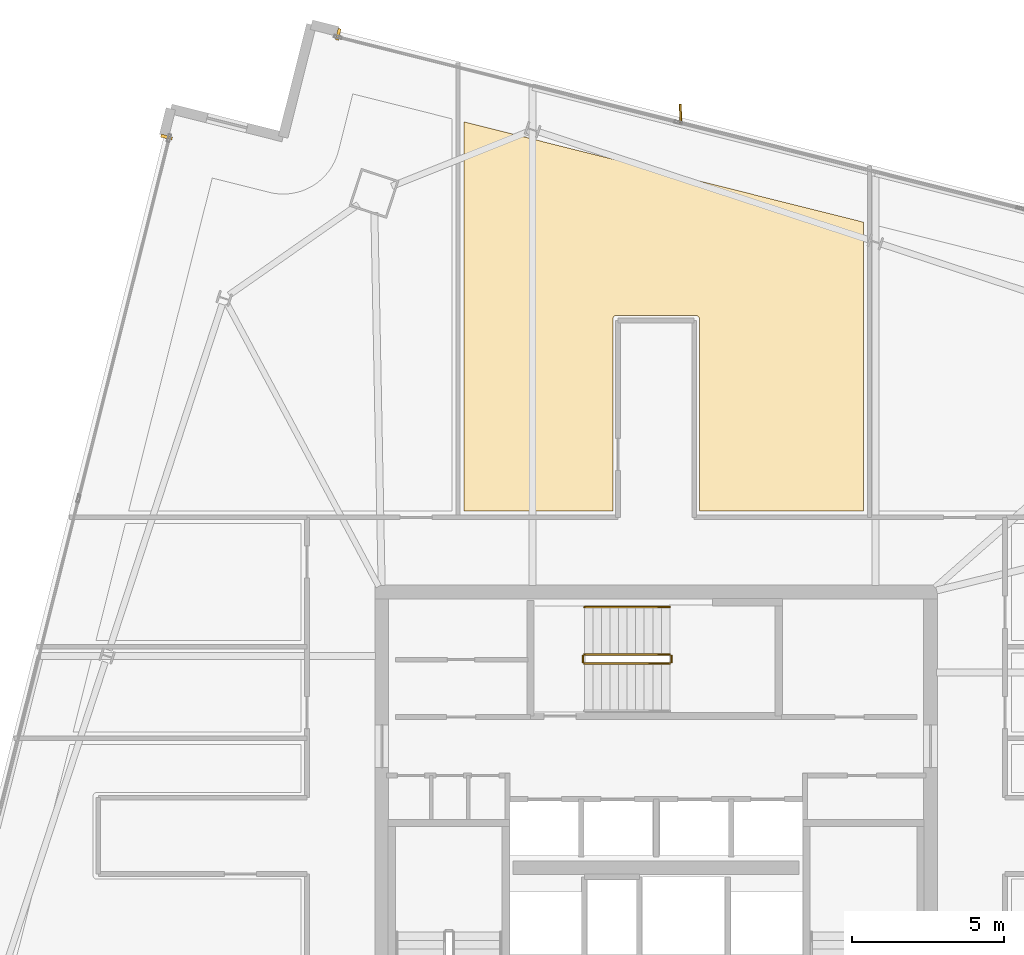
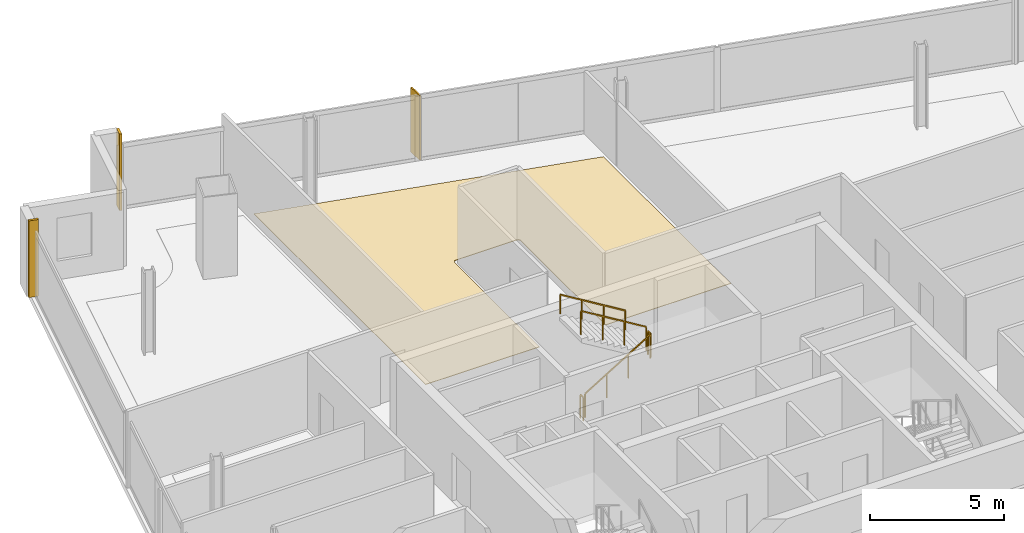
# One storey, part 27 of 28: 5 railings, 3 coverings, 1 shading device.
"""IFC4 building model written with IfcOpenShell, lengths in metres."""

from ifc_helpers import new_model, si_unit, direction, frame, origin, origin_2d, place, context, subcontext, project, spatial, polyline, rectangle, outline, extrude, source, transform, mapped, material, layer, layer_set, type_object, element, save


model = new_model("IFC4")

# Units and contexts
model_context = context("Model", 3, precision=1e-05, world=origin(), true_north=direction((0.0, 1.0)))
body_context = subcontext(model_context, "Body", "Model", "MODEL_VIEW")
ifc_project = project(units=[si_unit("LENGTHUNIT", "METRE"), si_unit("AREAUNIT", "SQUARE_METRE"), si_unit("VOLUMEUNIT", "CUBIC_METRE"), si_unit("PLANEANGLEUNIT", "RADIAN"), si_unit("MASSUNIT", "GRAM", prefix="KILO")], contexts=[model_context])

# Site, building, storey
site_placement = place(None, origin())
site = spatial("IfcSite", under=ifc_project, at=site_placement, CompositionType="ELEMENT")
building_placement = place(site_placement, origin())
building = spatial("IfcBuilding", under=site, at=building_placement, Name="Haldenkirk Collegiate Tower", CompositionType="ELEMENT")
storey_placement = place(building_placement, frame((0.0, 0.0, 282.449951171875)))
storey = spatial("IfcBuildingStorey", under=building, at=storey_placement, Name="L71", CompositionType="ELEMENT", Elevation=282.449951171875)

# Covering
ifc_material_1 = material(Name="Engineered collegiate oak acoustic flooring", Category="wood")
ifc_layer_1 = layer(ifc_material_1, 0.02197265625)
ifc_layer_set_1 = layer_set([ifc_layer_1], Name="Engineered collegiate oak acoustic flooring")
covering_type_1 = type_object("IfcCoveringType", Name="COV-FLOOR-TIMBER", PredefinedType="FLOORING", material=ifc_layer_set_1)
covering_placement = place(storey_placement, origin())
element("IfcCovering", 1, at=covering_placement, inside=storey, type_object=covering_type_1, Name="L71 academic room finish 03", PredefinedType="FLOORING", context=body_context, shape_type="SweptSolid", body=[
    extrude(outline(polyline([(42.800048828125, 46.1298828125), (42.800048828125, 36.64990234375), (37.419921875, 36.64990234375), (37.419921875, 42.949951171875), (37.41943359375, 42.9619140625), (37.417724609375, 42.973388671875), (37.414794921875, 42.98486328125), (37.410888671875, 42.995849609375), (37.40576171875, 43.006591796875), (37.39990234375, 43.0166015625), (37.392822265625, 43.026123046875), (37.385009765625, 43.034912109375), (37.376220703125, 43.042724609375), (37.36669921875, 43.0498046875), (37.356689453125, 43.055908203125), (37.345947265625, 43.060791015625), (37.334716796875, 43.064697265625), (37.323486328125, 43.067626953125), (37.311767578125, 43.0693359375), (37.300048828125, 43.070068359375), (34.699951171875, 43.070068359375), (34.688232421875, 43.0693359375), (34.676513671875, 43.067626953125), (34.665283203125, 43.064697265625), (34.654052734375, 43.060791015625), (34.643310546875, 43.055908203125), (34.63330078125, 43.0498046875), (34.623779296875, 43.042724609375), (34.614990234375, 43.034912109375), (34.607177734375, 43.026123046875), (34.60009765625, 43.0166015625), (34.59423828125, 43.006591796875), (34.589111328125, 42.995849609375), (34.585205078125, 42.98486328125), (34.582275390625, 42.973388671875), (34.58056640625, 42.9619140625), (34.580078125, 42.949951171875), (34.580078125, 36.64990234375), (29.699951171875, 36.64990234375), (29.699951171875, 49.42041015625), (42.800048828125, 46.1298828125)])), origin(), (0.0, 0.0, 1.0), 0.02197265625),
])

# Railings
ifc_material_2 = material(Name="Painted architectural tubular steel", Category="steel")
railing_type_1 = type_object("IfcRailingType", Name="RLG-STAIR-GUARD-1100", PredefinedType="BALUSTRADE", material=ifc_material_2)
railing_1_placement = place(storey_placement, frame((33.64990234375, 31.64990234375, 0.17041015625)))
element("IfcRailing", 2, at=railing_1_placement, inside=storey, type_object=railing_type_1, Name="L71 ST-3 stair guard 1", PredefinedType="BALUSTRADE", context=body_context, shape_type="SweptSolid", body=[
    extrude(rectangle(XDim=0.048095703125, YDim=0.048095703125, at=origin_2d()), frame((0.0, 0.0, 1.076171875), z_axis=(0.854169791009, 0.0, 0.51999420009), x_axis=(0.0, 1.0, 0.0)), (0.0, 0.0, 1.0), 3.278076171875),
    extrude(rectangle(XDim=0.0419921875, YDim=0.0419921875, at=origin_2d()), origin(), (0.0, 0.0, 1.0), 1.052001953125),
    extrude(rectangle(XDim=0.0419921875, YDim=0.0419921875, at=origin_2d()), frame((0.933349609375, 0.0, 0.568115234375)), (0.0, 0.0, 1.0), 1.052001953125),
    extrude(rectangle(XDim=0.0419921875, YDim=0.0419921875, at=origin_2d()), frame((1.86669921875, 0.0, 1.136474609375)), (0.0, 0.0, 1.0), 1.052001953125),
    extrude(rectangle(XDim=0.0419921875, YDim=0.0419921875, at=origin_2d()), frame((2.800048828125, 0.0, 1.70458984375)), (0.0, 0.0, 1.0), 1.052001953125),
])
railing_2_placement = place(storey_placement, frame((36.5, 31.699951171875, 1.875)))
element("IfcRailing", 3, at=railing_2_placement, inside=storey, type_object=railing_type_1, Name="L71 ST-3 stair guard 2", PredefinedType="BALUSTRADE", context=body_context, shape_type="SweptSolid", body=[
    extrude(rectangle(XDim=0.048095703125, YDim=0.048095703125, at=origin_2d()), frame((0.0, 0.0, 1.076171875), z_axis=(0.0, 1.0, 0.0), x_axis=(-1.0, 0.0, 0.0)), (0.0, 0.0, 1.0), 0.199951171875),
    extrude(rectangle(XDim=0.0419921875, YDim=0.0419921875, at=origin_2d()), origin(), (0.0, 0.0, 1.0), 1.052001953125),
    extrude(rectangle(XDim=0.0419921875, YDim=0.0419921875, at=origin_2d()), frame((0.0, 0.199951171875, 0.0)), (0.0, 0.0, 1.0), 1.052001953125),
])
railing_3_placement = place(storey_placement, frame((36.449951171875, 31.949951171875, 2.04541015625)))
element("IfcRailing", 4, at=railing_3_placement, inside=storey, type_object=railing_type_1, Name="L71 ST-3 stair guard 3", PredefinedType="BALUSTRADE", context=body_context, shape_type="SweptSolid", body=[
    extrude(rectangle(XDim=0.048095703125, YDim=0.048095703125, at=origin_2d()), frame((0.0, 0.0, 1.076171875), z_axis=(-0.854169791009, 0.0, 0.51999420009), x_axis=(0.0, -1.0, 0.0)), (0.0, 0.0, 1.0), 3.278076171875),
    extrude(rectangle(XDim=0.0419921875, YDim=0.0419921875, at=origin_2d()), origin(), (0.0, 0.0, 1.0), 1.052001953125),
    extrude(rectangle(XDim=0.0419921875, YDim=0.0419921875, at=origin_2d()), frame((-0.933349609375, 0.0, 0.568115234375)), (0.0, 0.0, 1.0), 1.052001953125),
    extrude(rectangle(XDim=0.0419921875, YDim=0.0419921875, at=origin_2d()), frame((-1.86669921875, 0.0, 1.136474609375)), (0.0, 0.0, 1.0), 1.052001953125),
    extrude(rectangle(XDim=0.0419921875, YDim=0.0419921875, at=origin_2d()), frame((-2.800048828125, 0.0, 1.70458984375)), (0.0, 0.0, 1.0), 1.052001953125),
])
railing_4_placement = place(storey_placement, frame((33.60009765625, 31.699951171875, 0.0)))
element("IfcRailing", 5, at=railing_4_placement, inside=storey, type_object=railing_type_1, Name="L71 ST-3 stair guard 4", PredefinedType="BALUSTRADE", context=body_context, shape_type="SweptSolid", body=[
    extrude(rectangle(XDim=0.048095703125, YDim=0.048095703125, at=origin_2d()), frame((0.0, 0.0, 1.076171875), z_axis=(0.0, 1.0, 0.0), x_axis=(-1.0, 0.0, 0.0)), (0.0, 0.0, 1.0), 0.199951171875),
    extrude(rectangle(XDim=0.0419921875, YDim=0.0419921875, at=origin_2d()), origin(), (0.0, 0.0, 1.0), 1.052001953125),
    extrude(rectangle(XDim=0.0419921875, YDim=0.0419921875, at=origin_2d()), frame((0.0, 0.199951171875, 0.0)), (0.0, 0.0, 1.0), 1.052001953125),
])
railing_type_2 = type_object("IfcRailingType", Name="RLG-STAIR-HANDRAIL-900", PredefinedType="HANDRAIL", material=ifc_material_2)
railing_5_placement = place(storey_placement, frame((36.449951171875, 33.5, 2.04541015625)))
element("IfcRailing", 6, at=railing_5_placement, inside=storey, type_object=railing_type_2, Name="L71 ST-3 stair handrail 2", PredefinedType="HANDRAIL", context=body_context, shape_type="SweptSolid", body=[
    extrude(rectangle(XDim=0.048095703125, YDim=0.048095703125, at=origin_2d()), frame((0.0, 0.0, 0.8759765625), z_axis=(-0.854169791009, 0.0, 0.51999420009), x_axis=(0.0, -1.0, 0.0)), (0.0, 0.0, 1.0), 3.278076171875),
    extrude(rectangle(XDim=0.0419921875, YDim=0.0419921875, at=origin_2d()), origin(), (0.0, 0.0, 1.0), 0.851806640625),
    extrude(rectangle(XDim=0.0419921875, YDim=0.0419921875, at=origin_2d()), frame((-0.933349609375, 0.0, 0.568115234375)), (0.0, 0.0, 1.0), 0.851806640625),
    extrude(rectangle(XDim=0.0419921875, YDim=0.0419921875, at=origin_2d()), frame((-1.86669921875, 0.0, 1.136474609375)), (0.0, 0.0, 1.0), 0.851806640625),
    extrude(rectangle(XDim=0.0419921875, YDim=0.0419921875, at=origin_2d()), frame((-2.800048828125, 0.0, 1.70458984375)), (0.0, 0.0, 1.0), 0.851806640625),
])

# Coverings
ifc_material_3 = material(Name="Anodised architectural bronze aluminium", Category="aluminium")
ifc_layer_2 = layer(ifc_material_3, 0.06005859375)
ifc_layer_set_2 = layer_set([ifc_layer_2], Name="Anodised architectural bronze aluminium")
covering_type_2 = type_object("IfcCoveringType", Name="COV-CLAD-BRONZE-60", PredefinedType="CLADDING", material=ifc_layer_set_2)
shared_shape_1 = source(origin(), body_context, "Body", "SweptSolid", [
    extrude(rectangle(XDim=0.10009765625, YDim=0.3798828125, at=origin_2d()), origin(), (0.0, 0.0, 1.0), 3.47998046875),
])
for number, where, z_axis, x_axis, name in (
    (7, (25.5712890625, 52.292724609375, 0.0), (0.0, 0.0, 1.0), (0.969872015285, -0.243615011786, 0.0), "L71 recessed curtain-wall bronze jamb closure EJL"),
    (8, (19.9404296875, 48.923095703125, 0.0), (0.0, 0.0, 1.0), (0.243615011786, 0.969872015285, 0.0), "L71 recessed curtain-wall bronze jamb closure NJR"),
):
    element("IfcCovering", number, at=place(storey_placement, frame(where, z_axis=z_axis, x_axis=x_axis)), inside=storey, type_object=covering_type_2, Name=name, PredefinedType="CLADDING", context=body_context, shape_type="MappedRepresentation", body=[
        mapped(shared_shape_1, transform((0.0, 0.0, 0.0), x_axis=(1.0, 0.0, 0.0), y_axis=(0.0, 1.0, 0.0), z_axis=(0.0, 0.0, 1.0), scale=1.0)),
    ])

# Shading device
ifc_layer_3 = layer(ifc_material_3, 0.06494140625)
ifc_layer_set_3 = layer_set([ifc_layer_3], Name="Anodised architectural bronze aluminium")
shading_device_type = type_object("IfcShadingDeviceType", Name="SHD-FIN-BRONZE-620", PredefinedType="USERDEFINED", material=ifc_layer_set_3)
shared_shape_2 = source(origin(), body_context, "Body", "SweptSolid", [
    extrude(rectangle(XDim=0.6201171875, YDim=0.06494140625, at=origin_2d()), origin(), (0.0, 0.0, 1.0), 2.93798828125),
])
shading_device_placement = place(storey_placement, frame((36.802001953125, 49.68310546875, 0.0), z_axis=(0.0, 0.0, 1.0), x_axis=(-0.033155178389, 0.999450215942, 0.0)))
element("IfcShadingDevice", 9, at=shading_device_placement, inside=storey, type_object=shading_device_type, Name="L71 folded bronze solar fin 1", ObjectType="FIN", PredefinedType="USERDEFINED", context=body_context, shape_type="MappedRepresentation", body=[
    mapped(shared_shape_2, transform((0.0, 0.0, 0.0), x_axis=(1.0, 0.0, 0.0), y_axis=(0.0, 1.0, 0.0), z_axis=(0.0, 0.0, 1.0), scale=1.0)),
])

save(model, "model.ifc")
